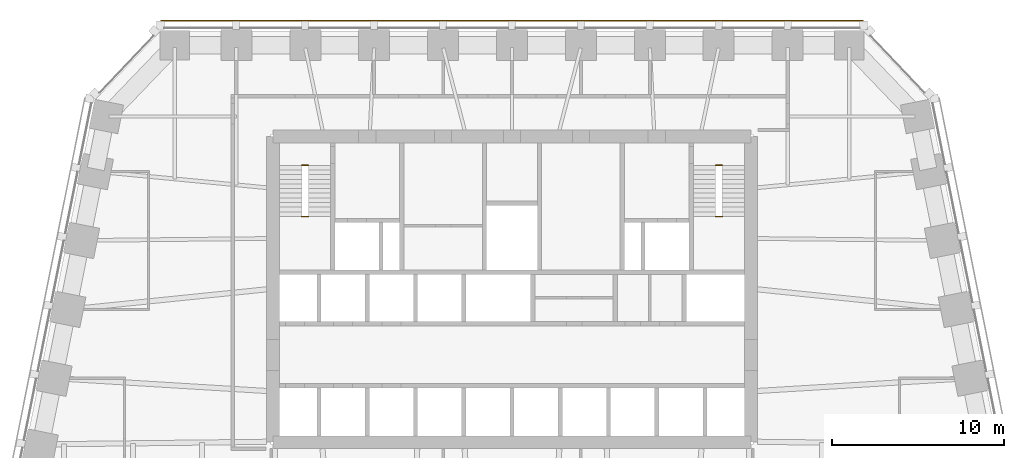
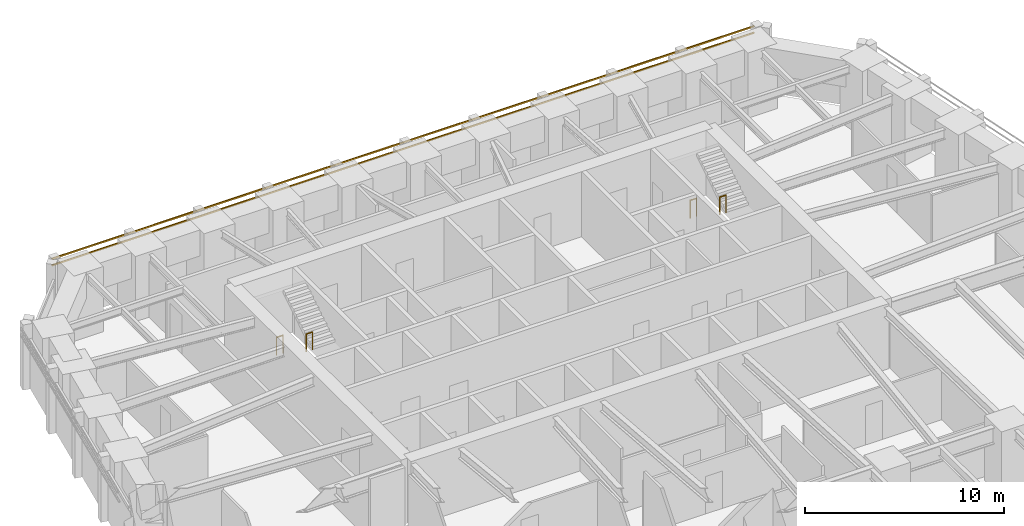
# One storey, part 10 of 10: 4 railings, 2 shading devices.
"""IFC4 building model written with IfcOpenShell, lengths in metres."""

from ifc_helpers import new_model, si_unit, direction, frame, origin, origin_2d, place, context, subcontext, project, spatial, rectangle, circle, extrude, material, material_profile, profile_set, type_object, element, save


model = new_model("IFC4")

# Units and contexts
model_context = context("Model", 3, precision=1e-05, world=origin(), true_north=direction((0.0, 1.0)))
body_context = subcontext(model_context, "Body", "Model", "MODEL_VIEW")
ifc_project = project(units=[si_unit("LENGTHUNIT", "METRE"), si_unit("AREAUNIT", "SQUARE_METRE"), si_unit("VOLUMEUNIT", "CUBIC_METRE"), si_unit("PLANEANGLEUNIT", "RADIAN"), si_unit("MASSUNIT", "GRAM", prefix="KILO")], contexts=[model_context])

# Site, building, storey
site_placement = place(None, origin())
site = spatial("IfcSite", under=ifc_project, at=site_placement, CompositionType="ELEMENT")
building_placement = place(site_placement, origin())
building = spatial("IfcBuilding", under=site, at=building_placement, Name="Isbrekke Arena Tower", CompositionType="ELEMENT")
storey_placement = place(building_placement, frame((0.0, 0.0, 147.0)))
storey = spatial("IfcBuildingStorey", under=building, at=storey_placement, Name="L33", CompositionType="ELEMENT", Elevation=147.0)

# Shading devices
ifc_material_1 = material(Name="Terracotta", Category="masonry")
ifc_material_profile = material_profile(ifc_material_1, rectangle(XDim=0.06005859375, YDim=0.06005859375, at=origin_2d()), Name="BAGUETTE 60X60")
ifc_profile_set = profile_set([ifc_material_profile], Name="Terracotta")
shading_device_type = type_object("IfcShadingDeviceType", Name="BG1 TERRACOTTA BAGUETTE 60 x 60", PredefinedType="USERDEFINED", material=ifc_profile_set)
for number, where, z_axis, x_axis, name in (
    (1, (20.39990234375, 30.60498046875, 3.280029296875), (-1.0, 0.0, 0.0), (0.0, -1.0, 0.0), "BG1 terracotta baguette N1 L33"),
    (2, (20.39990234375, 30.60498046875, 3.679931640625), (-1.0, 0.0, 0.0), (0.0, -1.0, 0.0), "BG1 terracotta baguette N2 L33"),
):
    element("IfcShadingDevice", number, at=place(storey_placement, frame(where, z_axis=z_axis, x_axis=x_axis)), inside=storey, type_object=shading_device_type, Name=name, ObjectType="TERRACOTTA BAGUETTE", PredefinedType="USERDEFINED", context=body_context, shape_type="SweptSolid", body=[
        extrude(rectangle(XDim=0.06005859375, YDim=0.06005859375, at=origin_2d()), origin(), (0.0, 0.0, 1.0), 40.7998046875),
    ])

# Railings
ifc_material_2 = material(Name="Steel stair guard, vertical bars, steel handrail", Category="steel")
railing_type = type_object("IfcRailingType", Name="GR3 STAIR WELL GUARD 1100", PredefinedType="GUARDRAIL", material=ifc_material_2)
for number, where, name in (
    (3, (-12.199951171875, 22.199951171875, 0.0), "GR3 stair well guard ST1 L33"),
    (4, (-12.199951171875, 19.22998046875, 2.0), "GR3 stair well guard ST1 L33"),
    (5, (11.824951171875, 22.199951171875, 0.0), "GR3 stair well guard ST2 L33"),
    (6, (11.824951171875, 19.22998046875, 2.0), "GR3 stair well guard ST2 L33"),
):
    element("IfcRailing", number, at=place(storey_placement, frame(where)), inside=storey, type_object=railing_type, Name=name, PredefinedType="GUARDRAIL", context=body_context, shape_type="SweptSolid", body=[
        extrude(circle(Radius=0.02392578125, at=origin_2d()), frame((0.0, 0.0, 1.076171875), z_axis=(1.0, 0.0, 0.0), x_axis=(0.0, 1.0, 0.0)), (0.0, 0.0, 1.0), 0.375),
        extrude(circle(Radius=0.02099609375, at=origin_2d()), origin(), (0.0, 0.0, 1.0), 1.052001953125),
        extrude(circle(Radius=0.02099609375, at=origin_2d()), frame((0.375, 0.0, 0.0)), (0.0, 0.0, 1.0), 1.052001953125),
    ])

save(model, "model.ifc")
